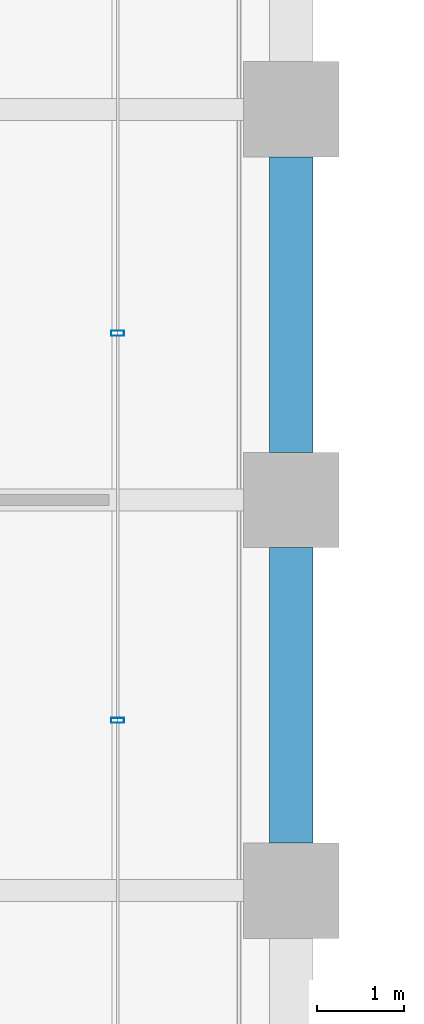
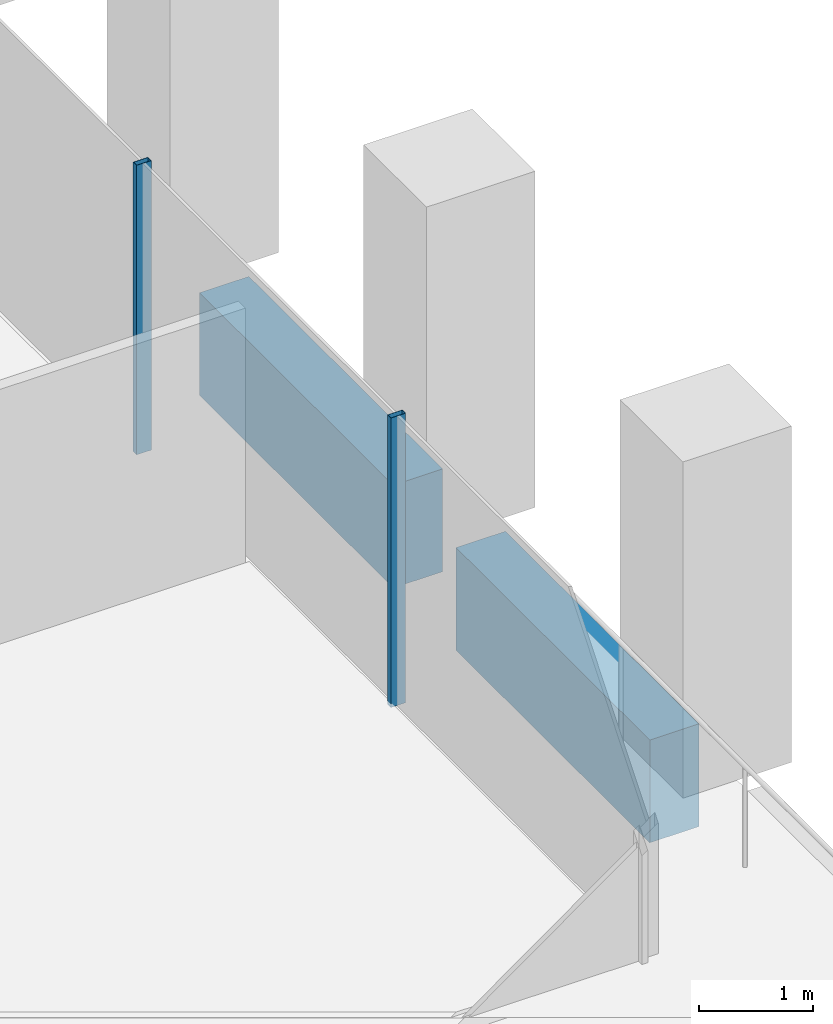
# One storey, part 18 of 56: 2 beams, 2 members, 1 element without a shape of its own.
"""IFC4 building model written with IfcOpenShell, lengths in metres."""

from ifc_helpers import new_model, si_unit, direction, frame, origin, origin_2d, place, context, subcontext, project, spatial, rectangle, hollow_rectangle, extrude, material, material_profile, profile_set, type_object, element, aggregate, save


model = new_model("IFC4")

# Units and contexts
model_context = context("Model", 3, precision=1e-05, world=origin(), true_north=direction((0.0, 1.0)))
body_context = subcontext(model_context, "Body", "Model", "MODEL_VIEW")
ifc_project = project(units=[si_unit("LENGTHUNIT", "METRE"), si_unit("AREAUNIT", "SQUARE_METRE"), si_unit("VOLUMEUNIT", "CUBIC_METRE"), si_unit("PLANEANGLEUNIT", "RADIAN"), si_unit("MASSUNIT", "GRAM", prefix="KILO")], contexts=[model_context])

# Site, building, storey
site_placement = place(None, origin())
site = spatial("IfcSite", under=ifc_project, at=site_placement, CompositionType="ELEMENT")
building_placement = place(site_placement, origin())
building = spatial("IfcBuilding", under=site, at=building_placement, Name="Altepetl Exchange Towers", CompositionType="ELEMENT")
storey_placement = place(building_placement, frame((0.0, 0.0, 54.60009765625)))
storey = spatial("IfcBuildingStorey", under=building, at=storey_placement, Name="L12", CompositionType="ELEMENT", Elevation=54.60009765625)

# Curtain wall, members
ifc_material_1 = material(Name="Aluminium 6063-T6 glazing", Category="aluminium")
curtain_wall_type = type_object("IfcCurtainWallType", Name="Loggia glazing system", PredefinedType="NOTDEFINED", material=ifc_material_1)
curtain_wall_placement = place(storey_placement, origin())
curtain_wall = element("IfcCurtainWall", 1, at=curtain_wall_placement, inside=storey, type_object=curtain_wall_type, Name="CW1 run", PredefinedType="NOTDEFINED")
ifc_material_2 = material(Name="Aluminium 6063-T6", Category="aluminium")
ifc_material_profile_1 = material_profile(ifc_material_2, hollow_rectangle(XDim=0.06005859375, YDim=0.14990234375, WallThickness=0.0029296875, at=origin_2d()), Name="Mullion 60x150 aluminium")
ifc_profile_set_1 = profile_set([ifc_material_profile_1], Name="Aluminium 6063-T6")
member_type = type_object("IfcMemberType", Name="Mullion 60x150 aluminium", PredefinedType="MULLION", material=ifc_profile_set_1)
member_1_placement = place(storey_placement, frame((70.0, 37.9609375, 0.0), z_axis=(0.0, 0.0, 1.0), x_axis=(0.0, 1.0, 0.0)))
member_1 = element("IfcMember", 2, at=member_1_placement, type_object=member_type, Name="MU1 mullion", PredefinedType="MULLION", context=body_context, shape_type="SweptSolid", body=[
    extrude(hollow_rectangle(XDim=0.06005859375, YDim=0.14990234375, WallThickness=0.0029296875, at=origin_2d()), origin(), (0.0, 0.0, 1.0), 3.099853515625),
])
member_2_placement = place(storey_placement, frame((70.0, 42.422119140625, 0.0), z_axis=(0.0, 0.0, 1.0), x_axis=(0.0, 1.0, 0.0)))
member_2 = element("IfcMember", 3, at=member_2_placement, type_object=member_type, Name="MU1 mullion", PredefinedType="MULLION", context=body_context, shape_type="SweptSolid", body=[
    extrude(hollow_rectangle(XDim=0.06005859375, YDim=0.14990234375, WallThickness=0.0029296875, at=origin_2d()), origin(), (0.0, 0.0, 1.0), 3.099853515625),
])
aggregate(curtain_wall, [member_1, member_2])

# Beams
ifc_material_3 = material(Name="Concrete C50/60 precast with cantera amarilla facing", Category="concrete")
ifc_material_profile_2 = material_profile(ifc_material_3, rectangle(XDim=0.5, YDim=1.10009765625, at=origin_2d()), Name="500 x 1100")
ifc_profile_set_2 = profile_set([ifc_material_profile_2], Name="Concrete C50/60 precast with cantera amarilla facing")
beam_type = type_object("IfcBeamType", Name="Spandrel beam 500x1100 cantera amarilla", PredefinedType="SPANDREL", material=ifc_profile_set_2)
for number, where, z_axis, x_axis, name in (
    (4, (72.0, 36.550048828125, -0.7001953125), (0.0, 1.0, 0.0), (-1.0, 0.0, 0.0), "sp:A:L12:013"),
    (5, (72.0, 41.050048828125, -0.7001953125), (0.0, 1.0, 0.0), (-1.0, 0.0, 0.0), "sp:A:L12:014"),
):
    element("IfcBeam", number, at=place(storey_placement, frame(where, z_axis=z_axis, x_axis=x_axis)), inside=storey, type_object=beam_type, Name=name, PredefinedType="SPANDREL", context=body_context, shape_type="SweptSolid", body=[
        extrude(rectangle(XDim=0.5, YDim=1.10009765625, at=origin_2d()), origin(), (0.0, 0.0, 1.0), 3.39990234375),
    ])

save(model, "model.ifc")
